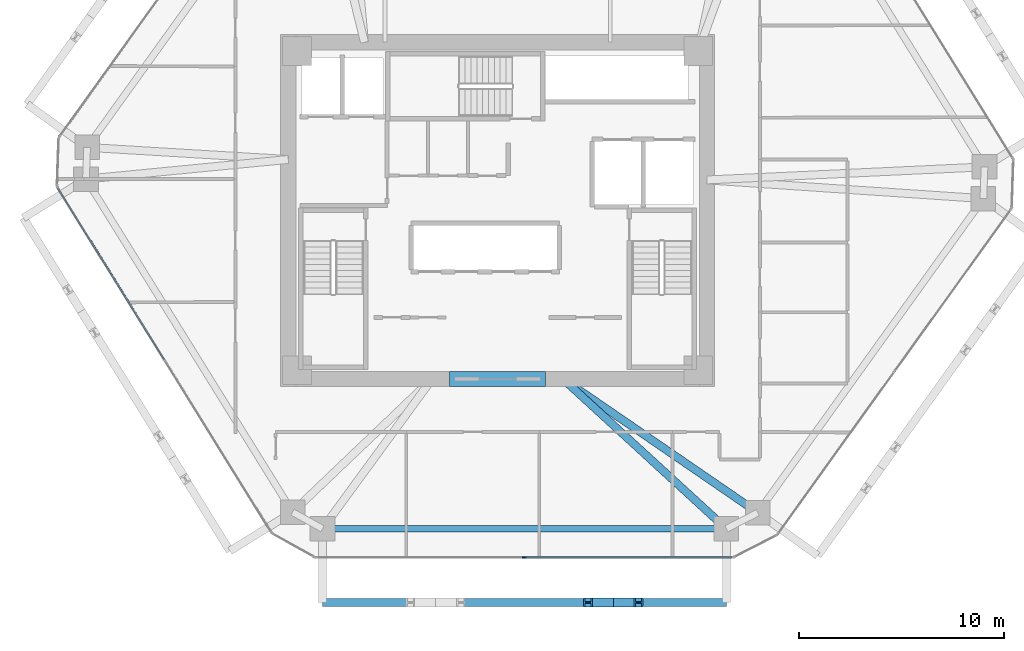
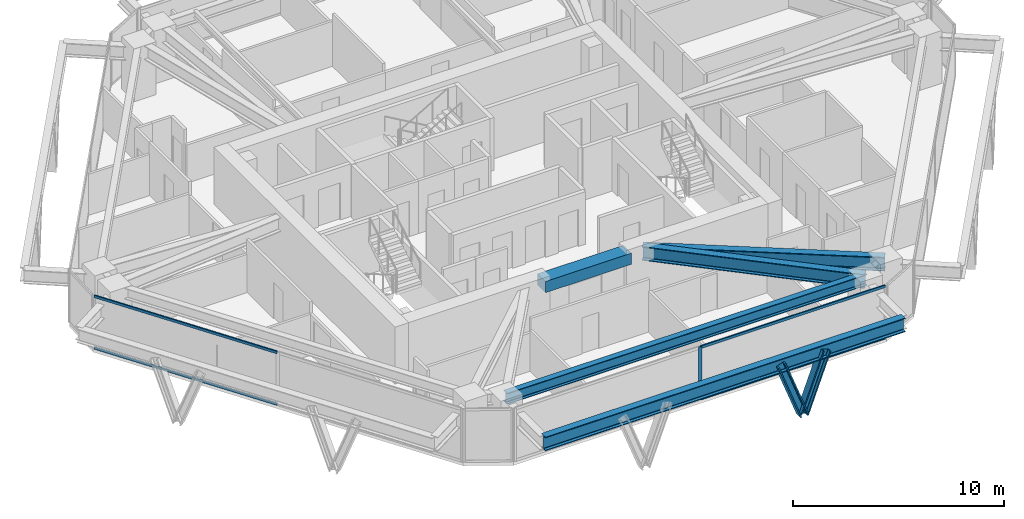
# One storey, part 3 of 14: 7 members, 5 beams, 2 elements without a shape of their own.
"""IFC4 building model written with IfcOpenShell, lengths in metres."""

from ifc_helpers import new_model, si_unit, direction, frame, origin, origin_2d, place, context, subcontext, project, spatial, rectangle, i_section, extrude, source, transform, mapped, material, layer, layer_set, material_profile, profile_set, type_object, type_shapes, element, aggregate, save


model = new_model("IFC4")

# Units and contexts
model_context = context("Model", 3, precision=1e-05, world=origin(), true_north=direction((0.0, 1.0)))
body_context = subcontext(model_context, "Body", "Model", "MODEL_VIEW")
ifc_project = project(units=[si_unit("LENGTHUNIT", "METRE"), si_unit("AREAUNIT", "SQUARE_METRE"), si_unit("VOLUMEUNIT", "CUBIC_METRE"), si_unit("PLANEANGLEUNIT", "RADIAN"), si_unit("MASSUNIT", "GRAM", prefix="KILO")], contexts=[model_context])

# Site, building, storey
site_placement = place(None, origin())
site = spatial("IfcSite", under=ifc_project, at=site_placement, CompositionType="ELEMENT")
building_placement = place(site_placement, origin())
building = spatial("IfcBuilding", under=site, at=building_placement, Name="Durnholm Broadcast Tower", CompositionType="ELEMENT")
storey_placement = place(building_placement, frame((0.0, 0.0, 120.60009765625)))
storey = spatial("IfcBuildingStorey", under=building, at=storey_placement, Name="L32", CompositionType="ELEMENT", Elevation=120.60009765625)

# Beams
ifc_material_1 = material(Name="Concrete C70/85", Category="concrete")
ifc_material_profile_1 = material_profile(ifc_material_1, rectangle(XDim=0.75, YDim=0.64990234375, at=origin_2d()), Name="RC750X650")
ifc_profile_set_1 = profile_set([ifc_material_profile_1], Name="Concrete C70/85")
beam_type_1 = type_object("IfcBeamType", Name="BM-CB-RC650", PredefinedType="LINTEL", material=ifc_profile_set_1)
shared_shape_1 = source(origin(), body_context, "Body", "SweptSolid", [
    extrude(rectangle(XDim=0.75, YDim=0.64990234375, at=origin_2d()), origin(), (0.0, 0.0, 1.0), 4.7001953125),
])
type_shapes(beam_type_1, [shared_shape_1])
beam_1_placement = place(storey_placement, frame((-2.35009765625, -8.22509765625, 2.72998046875), z_axis=(1.0, 0.0, 0.0), x_axis=(0.0, 1.0, 0.0)))
element("IfcBeam", 1, at=beam_1_placement, inside=storey, type_object=beam_type_1, Name="L32 south core coupling lintel beam CB-S", PredefinedType="LINTEL", context=body_context, shape_type="MappedRepresentation", body=[
    mapped(shared_shape_1, transform((0.0, 0.0, 0.0), x_axis=(1.0, 0.0, 0.0), y_axis=(0.0, 1.0, 0.0), z_axis=(0.0, 0.0, 1.0), scale=1.0)),
])
ifc_material_2 = material(Name="Steel ASTM A992 Grade 50", Category="steel")
ifc_material_profile_2 = material_profile(ifc_material_2, i_section(OverallWidth=0.3291015625, OverallDepth=0.635009765625, WebThickness=0.017822265625, FlangeThickness=0.031005859375, FilletRadius=0.02783203125, at=origin_2d()), Name="W24X162")
ifc_profile_set_2 = profile_set([ifc_material_profile_2], Name="Steel ASTM A992 Grade 50")
beam_type_2 = type_object("IfcBeamType", Name="STL-SP-W24X162", PredefinedType="SPANDREL", material=ifc_profile_set_2)
shared_shape_2 = source(origin(), body_context, "Body", "SweptSolid", [
    extrude(i_section(OverallWidth=0.3291015625, OverallDepth=0.635009765625, WebThickness=0.017822265625, FlangeThickness=0.031005859375, FilletRadius=0.02783203125, at=origin_2d()), origin(), (0.0, 0.0, 1.0), 19.72802734375),
])
type_shapes(beam_type_2, [shared_shape_2])
beam_2_placement = place(storey_placement, frame((11.176025390625, -15.537109375, 2.727294921875), z_axis=(-1.0, 0.0, 0.0), x_axis=(0.0, -1.0, 0.0)))
element("IfcBeam", 2, at=beam_2_placement, inside=storey, type_object=beam_type_2, Name="L32 perimeter spandrel girder 11", PredefinedType="SPANDREL", context=body_context, shape_type="MappedRepresentation", body=[
    mapped(shared_shape_2, transform((0.0, 0.0, 0.0), x_axis=(1.0, 0.0, 0.0), y_axis=(0.0, 1.0, 0.0), z_axis=(0.0, 0.0, 1.0), scale=1.0)),
])
ifc_material_profile_3 = material_profile(ifc_material_2, i_section(OverallWidth=0.385009765625, OverallDepth=0.802978515625, WebThickness=0.023681640625, FlangeThickness=0.0419921875, FilletRadius=0.032958984375, at=origin_2d()), Name="W30X261")
ifc_profile_set_3 = profile_set([ifc_material_profile_3], Name="Steel ASTM A992 Grade 50")
beam_type_3 = type_object("IfcBeamType", Name="STL-GR-W30X261", PredefinedType="USERDEFINED", material=ifc_profile_set_3)
shared_shape_3 = source(origin(), body_context, "Body", "SweptSolid", [
    extrude(i_section(OverallWidth=0.385009765625, OverallDepth=0.802978515625, WebThickness=0.023681640625, FlangeThickness=0.0419921875, FilletRadius=0.032958984375, at=origin_2d()), origin(), (0.0, 0.0, 1.0), 11.533447265625),
])
beam_3_placement = place(storey_placement, frame((3.199951171875, -8.22509765625, 2.643310546875), z_axis=(0.824567182461, -0.565764051181, 0.0), x_axis=(0.565764051181, 0.824567182461, 0.0)))
element("IfcBeam", 3, at=beam_3_placement, inside=storey, type_object=beam_type_3, Name="L32 radial primary floor girder 10", ObjectType="GIRDER", PredefinedType="USERDEFINED", context=body_context, shape_type="MappedRepresentation", body=[
    mapped(shared_shape_3, transform((0.0, 0.0, 0.0), x_axis=(1.0, 0.0, 0.0), y_axis=(0.0, 1.0, 0.0), z_axis=(0.0, 0.0, 1.0), scale=1.0)),
])
shared_shape_4 = source(origin(), body_context, "Body", "SweptSolid", [
    extrude(i_section(OverallWidth=0.385009765625, OverallDepth=0.802978515625, WebThickness=0.023681640625, FlangeThickness=0.0419921875, FilletRadius=0.032958984375, at=origin_2d()), origin(), (0.0, 0.0, 1.0), 10.820556640625),
])
type_shapes(beam_type_3, [shared_shape_3, shared_shape_4])
beam_4_placement = place(storey_placement, frame((3.199951171875, -8.22509765625, 2.643310546875), z_axis=(0.737126042516, -0.675755279258, 0.0), x_axis=(0.675755279258, 0.737126042516, 0.0)))
element("IfcBeam", 4, at=beam_4_placement, inside=storey, type_object=beam_type_3, Name="L32 radial primary floor girder 11", ObjectType="GIRDER", PredefinedType="USERDEFINED", context=body_context, shape_type="MappedRepresentation", body=[
    mapped(shared_shape_4, transform((0.0, 0.0, 0.0), x_axis=(1.0, 0.0, 0.0), y_axis=(0.0, 1.0, 0.0), z_axis=(0.0, 0.0, 1.0), scale=1.0)),
])
ifc_material_profile_4 = material_profile(ifc_material_2, i_section(OverallWidth=0.385009765625, OverallDepth=0.802978515625, WebThickness=0.023681640625, FlangeThickness=0.0419921875, FilletRadius=0.032958984375, at=origin_2d()), Name="W30X261")
ifc_profile_set_4 = profile_set([ifc_material_profile_4], Name="Steel ASTM A992 Grade 50")
beam_type_4 = type_object("IfcBeamType", Name="BM-EXO-TIE", PredefinedType="USERDEFINED", material=ifc_profile_set_4)
shared_shape_5 = source(origin(), body_context, "Body", "SweptSolid", [
    extrude(i_section(OverallWidth=0.385009765625, OverallDepth=0.802978515625, WebThickness=0.023681640625, FlangeThickness=0.0419921875, FilletRadius=0.032958984375, at=origin_2d()), origin(), (0.0, 0.0, 1.0), 19.72802734375),
])
type_shapes(beam_type_4, [shared_shape_5])
beam_5_placement = place(storey_placement, frame((-8.552001953125, -19.136962890625, 2.30859375), z_axis=(1.0, 0.0, 0.0), x_axis=(0.0, 1.0, 0.0)))
element("IfcBeam", 5, at=beam_5_placement, inside=storey, type_object=beam_type_4, Name="L32 exoskeleton collector spandrel F1", PredefinedType="SPANDREL", context=body_context, shape_type="MappedRepresentation", body=[
    mapped(shared_shape_5, transform((0.0, 0.0, 0.0), x_axis=(1.0, 0.0, 0.0), y_axis=(0.0, 1.0, 0.0), z_axis=(0.0, 0.0, 1.0), scale=1.0)),
])

# Members
ifc_material_3 = material(Name="Steel ASTM A913 Grade 65", Category="steel")
ifc_material_profile_5 = material_profile(ifc_material_3, i_section(OverallWidth=0.41845703125, OverallDepth=0.455078125, WebThickness=0.0419921875, FlangeThickness=0.067626953125, FilletRadius=0.030517578125, at=origin_2d()), Name="W14X370")
ifc_profile_set_5 = profile_set([ifc_material_profile_5], Name="Steel ASTM A913 Grade 65")
member_type_1 = type_object("IfcMemberType", Name="STL-DG-W14X370", PredefinedType="BRACE", material=ifc_profile_set_5)
shared_shape_6 = source(origin(), body_context, "Body", "SweptSolid", [
    extrude(i_section(OverallWidth=0.41845703125, OverallDepth=0.455078125, WebThickness=0.0419921875, FlangeThickness=0.067626953125, FilletRadius=0.030517578125, at=origin_2d()), origin(), (0.0, 0.0, 1.0), 3.523193359375),
])
type_shapes(member_type_1, [shared_shape_6])
for number, where, z_axis, x_axis, name in (
    (6, (5.65234375, -19.136962890625, -0.991455078125), (-0.350219588454, 0.0, 0.936667625075), (0.0, -1.0, 0.0), "L32 stand-off diagrid brace F1.D2.1"),
    (7, (5.65234375, -19.136962890625, -0.991455078125), (0.350158790071, 0.0, 0.936690355313), (0.0, 1.0, 0.0), "L32 stand-off diagrid brace F1.D2.2"),
):
    element("IfcMember", number, at=place(storey_placement, frame(where, z_axis=z_axis, x_axis=x_axis)), inside=storey, type_object=member_type_1, Name=name, PredefinedType="BRACE", context=body_context, shape_type="MappedRepresentation", body=[
        mapped(shared_shape_6, transform((0.0, 0.0, 0.0), x_axis=(1.0, 0.0, 0.0), y_axis=(0.0, 1.0, 0.0), z_axis=(0.0, 0.0, 1.0), scale=1.0)),
    ])

# Curtain wall, members
ifc_material_4 = material(Name="Aluminium and Solar Control IGU", Category="aluminium")
ifc_layer = layer(ifc_material_4, 0.18994140625)
ifc_layer_set = layer_set([ifc_layer], Name="Aluminium and Solar Control IGU")
curtain_wall_type = type_object("IfcCurtainWallType", Name="CW-SYS-3", PredefinedType="NOTDEFINED", material=ifc_layer_set)
curtain_wall_1_placement = place(storey_placement, origin())
curtain_wall_1 = element("IfcCurtainWall", 8, at=curtain_wall_1_placement, inside=storey, type_object=curtain_wall_type, Name="L32 curtain wall CW-Z12-VIS CW-L32-F10", PredefinedType="NOTDEFINED")
ifc_material_5 = material(Name="Aluminium 6063-T6", Category="aluminium")
ifc_material_profile_6 = material_profile(ifc_material_5, rectangle(XDim=0.070068359375, YDim=0.18994140625, at=origin_2d()), Name="CWM70X190")
ifc_profile_set_6 = profile_set([ifc_material_profile_6], Name="Aluminium 6063-T6")
member_type_2 = type_object("IfcMemberType", Name="CW-SYS-3-MUL", PredefinedType="MULLION", material=ifc_profile_set_6)
shared_shape_7 = source(origin(), body_context, "Body", "SweptSolid", [
    extrude(rectangle(XDim=0.070068359375, YDim=0.18994140625, at=origin_2d()), origin(), (0.0, 0.0, 1.0), 3.059814453125),
])
type_shapes(member_type_2, [shared_shape_7])
member_1_placement = place(storey_placement, frame((1.299560546875, -16.93701171875, 0.0), z_axis=(0.0, 0.0, 1.0), x_axis=(0.0, -1.0, 0.0)))
member_1 = element("IfcMember", 9, at=member_1_placement, type_object=member_type_2, Name="CW-Z12-VIS mullion 2", PredefinedType="MULLION", context=body_context, shape_type="MappedRepresentation", body=[
    mapped(shared_shape_7, transform((0.0, 0.0, 0.0), x_axis=(1.0, 0.0, 0.0), y_axis=(0.0, 1.0, 0.0), z_axis=(0.0, 0.0, 1.0), scale=1.0)),
])
ifc_material_profile_7 = material_profile(ifc_material_5, rectangle(XDim=0.070068359375, YDim=0.14990234375, at=origin_2d()), Name="CWT70X150")
ifc_profile_set_7 = profile_set([ifc_material_profile_7], Name="Aluminium 6063-T6")
member_type_3 = type_object("IfcMemberType", Name="CW-SYS-3-TRN", PredefinedType="USERDEFINED", material=ifc_profile_set_7)
shared_shape_8 = source(origin(), body_context, "Body", "SweptSolid", [
    extrude(rectangle(XDim=0.070068359375, YDim=0.14990234375, at=origin_2d()), origin(), (0.0, 0.0, 1.0), 10.109619140625),
])
member_2_placement = place(storey_placement, frame((11.444091796875, -16.93701171875, 0.034912109375), z_axis=(-1.0, 0.0, 0.0), x_axis=(0.0, -1.0, 0.0)))
member_2 = element("IfcMember", 10, at=member_2_placement, type_object=member_type_3, Name="CW-Z12-VIS transom 1.1", ObjectType="TRANSOM", PredefinedType="USERDEFINED", context=body_context, shape_type="MappedRepresentation", body=[
    mapped(shared_shape_8, transform((0.0, 0.0, 0.0), x_axis=(1.0, 0.0, 0.0), y_axis=(0.0, 1.0, 0.0), z_axis=(0.0, 0.0, 1.0), scale=1.0)),
])
member_3_placement = place(storey_placement, frame((11.444091796875, -16.93701171875, 3.02490234375), z_axis=(-1.0, 0.0, 0.0), x_axis=(0.0, -1.0, 0.0)))
member_3 = element("IfcMember", 11, at=member_3_placement, type_object=member_type_3, Name="CW-Z12-VIS transom 1.2", ObjectType="TRANSOM", PredefinedType="USERDEFINED", context=body_context, shape_type="MappedRepresentation", body=[
    mapped(shared_shape_8, transform((0.0, 0.0, 0.0), x_axis=(1.0, 0.0, 0.0), y_axis=(0.0, 1.0, 0.0), z_axis=(0.0, 0.0, 1.0), scale=1.0)),
])
aggregate(curtain_wall_1, [member_1, member_2, member_3])

curtain_wall_2_placement = place(storey_placement, origin())
curtain_wall_2 = element("IfcCurtainWall", 12, at=curtain_wall_2_placement, inside=storey, type_object=curtain_wall_type, Name="L32 curtain wall CW-Z12-VIS CW-L32-F12", PredefinedType="NOTDEFINED")
shared_shape_9 = source(origin(), body_context, "Body", "SweptSolid", [
    extrude(rectangle(XDim=0.070068359375, YDim=0.14990234375, at=origin_2d()), origin(), (0.0, 0.0, 1.0), 9.85888671875),
])
type_shapes(member_type_3, [shared_shape_8, shared_shape_9])
member_4_placement = place(storey_placement, frame((-16.28271484375, -7.27294921875, 0.034912109375), z_axis=(-0.527119964735, 0.849790881793, 0.0), x_axis=(-0.849790881793, -0.527119964735, 0.0)))
member_4 = element("IfcMember", 13, at=member_4_placement, type_object=member_type_3, Name="CW-Z12-VIS transom 2.1", ObjectType="TRANSOM", PredefinedType="USERDEFINED", context=body_context, shape_type="MappedRepresentation", body=[
    mapped(shared_shape_9, transform((0.0, 0.0, 0.0), x_axis=(1.0, 0.0, 0.0), y_axis=(0.0, 1.0, 0.0), z_axis=(0.0, 0.0, 1.0), scale=1.0)),
])
member_5_placement = place(storey_placement, frame((-16.28271484375, -7.27294921875, 3.02490234375), z_axis=(-0.527119964735, 0.849790881793, 0.0), x_axis=(-0.849790881793, -0.527119964735, 0.0)))
member_5 = element("IfcMember", 14, at=member_5_placement, type_object=member_type_3, Name="CW-Z12-VIS transom 2.2", ObjectType="TRANSOM", PredefinedType="USERDEFINED", context=body_context, shape_type="MappedRepresentation", body=[
    mapped(shared_shape_9, transform((0.0, 0.0, 0.0), x_axis=(1.0, 0.0, 0.0), y_axis=(0.0, 1.0, 0.0), z_axis=(0.0, 0.0, 1.0), scale=1.0)),
])
aggregate(curtain_wall_2, [member_4, member_5])

save(model, "model.ifc")
